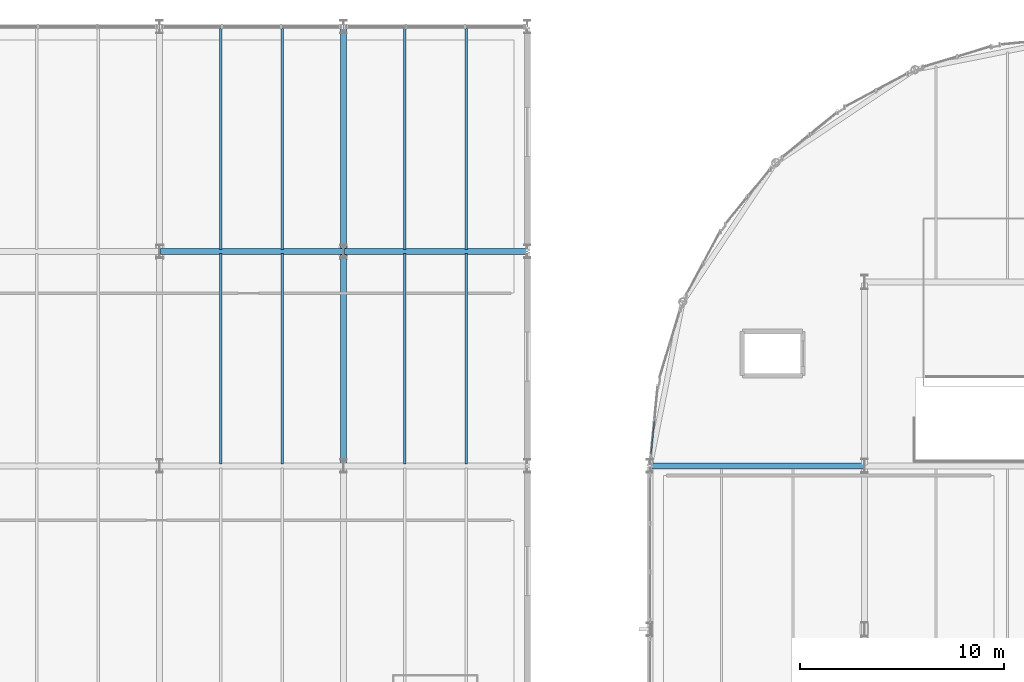
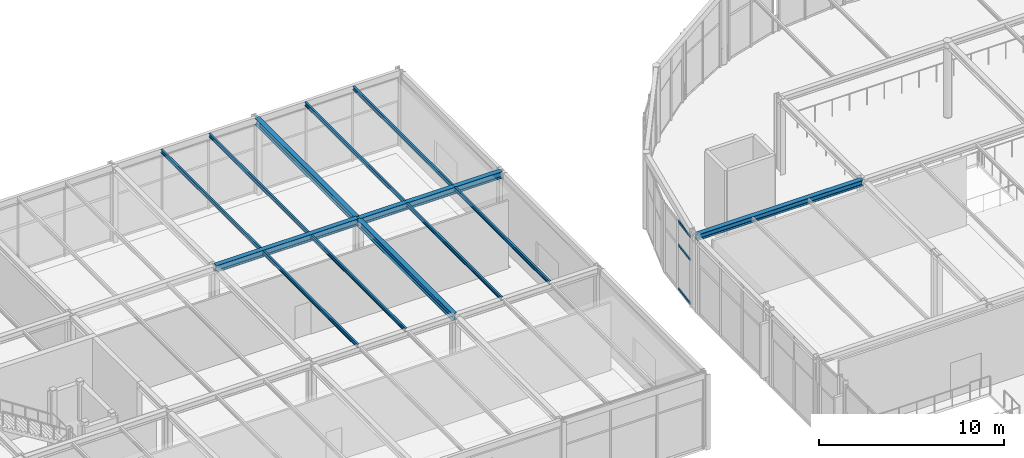
# One storey, part 54 of 195: 13 beams, 3 members, 1 element without a shape of its own.
"""IFC4 building model written with IfcOpenShell, lengths in metres."""

from ifc_helpers import new_model, si_unit, direction, frame, origin, origin_2d, place, context, subcontext, project, spatial, hollow_rectangle, i_section, extrude, material, layer, layer_set, material_profile, profile_set, type_object, element, aggregate, save


model = new_model("IFC4")

# Units and contexts
model_context = context("Model", 3, precision=1e-05, world=origin(), true_north=direction((0.0, 1.0)))
body_context = subcontext(model_context, "Body", "Model", "MODEL_VIEW")
ifc_project = project(units=[si_unit("LENGTHUNIT", "METRE"), si_unit("AREAUNIT", "SQUARE_METRE"), si_unit("VOLUMEUNIT", "CUBIC_METRE"), si_unit("PLANEANGLEUNIT", "RADIAN"), si_unit("MASSUNIT", "GRAM", prefix="KILO")], contexts=[model_context])

# Site, building, storey
site_placement = place(None, origin())
site = spatial("IfcSite", under=ifc_project, at=site_placement, CompositionType="ELEMENT")
building_placement = place(site_placement, origin())
building = spatial("IfcBuilding", under=site, at=building_placement, Name="Marlcrest Central Station", CompositionType="ELEMENT")
storey_placement = place(building_placement, frame((0.0, 0.0, 9.800048828125)))
storey = spatial("IfcBuildingStorey", under=building, at=storey_placement, Name="L02", CompositionType="ELEMENT", Elevation=9.800048828125)

# Beams
ifc_material_1 = material(Name="Steel S355", Category="steel")
ifc_material_profile_1 = material_profile(ifc_material_1, i_section(OverallWidth=0.300048828125, OverallDepth=0.389892578125, WebThickness=0.010986328125, FlangeThickness=0.01904296875, FilletRadius=0.027099609375, at=origin_2d()), Name="HEA 400")
ifc_profile_set_1 = profile_set([ifc_material_profile_1], Name="Steel S355")
beam_type_1 = type_object("IfcBeamType", Name="BM-08", PredefinedType="BEAM", material=ifc_profile_set_1)
beam_1_placement = place(storey_placement, frame((87.050048828125, 110.5, 4.800048828125), z_axis=(1.0, 0.0, 0.0), x_axis=(0.0, 1.0, 0.0)))
element("IfcBeam", 1, at=beam_1_placement, inside=storey, type_object=beam_type_1, Name="bm-BM-08-L02-01487", PredefinedType="BEAM", context=body_context, shape_type="SweptSolid", body=[
    extrude(i_section(OverallWidth=0.300048828125, OverallDepth=0.389892578125, WebThickness=0.010986328125, FlangeThickness=0.01904296875, FilletRadius=0.027099609375, at=origin_2d()), origin(), (0.0, 0.0, 1.0), 10.39990234375),
])
ifc_material_profile_2 = material_profile(ifc_material_1, i_section(OverallWidth=0.300048828125, OverallDepth=0.43994140625, WebThickness=0.011474609375, FlangeThickness=0.02099609375, FilletRadius=0.027099609375, at=origin_2d()), Name="HEA 450")
ifc_profile_set_2 = profile_set([ifc_material_profile_2], Name="Steel S355")
beam_type_2 = type_object("IfcBeamType", Name="BM-09", PredefinedType="BEAM", material=ifc_profile_set_2)
for number, where, z_axis, x_axis, name in (
    (2, (63.050048828125, 121.0, 4.780029296875), (1.0, 0.0, 0.0), (0.0, 1.0, 0.0), "bm-BM-09-L02-00373"),
    (3, (72.050048828125, 121.0, 4.7548828125), (1.0, 0.0, 0.0), (0.0, 1.0, 0.0), "bm-BM-09-L02-00374"),
):
    element("IfcBeam", number, at=place(storey_placement, frame(where, z_axis=z_axis, x_axis=x_axis)), inside=storey, type_object=beam_type_2, Name=name, PredefinedType="BEAM", context=body_context, shape_type="SweptSolid", body=[
        extrude(i_section(OverallWidth=0.300048828125, OverallDepth=0.43994140625, WebThickness=0.011474609375, FlangeThickness=0.02099609375, FilletRadius=0.027099609375, at=origin_2d()), origin(), (0.0, 0.0, 1.0), 8.89990234375),
    ])
beam_2_placement = place(storey_placement, frame((72.0, 110.550048828125, 4.7548828125), z_axis=(0.0, 1.0, 0.0), x_axis=(-1.0, 0.0, 0.0)))
element("IfcBeam", 4, at=beam_2_placement, inside=storey, type_object=beam_type_2, Name="bm-BM-09-L02-00409", PredefinedType="BEAM", context=body_context, shape_type="SweptSolid", body=[
    extrude(i_section(OverallWidth=0.300048828125, OverallDepth=0.43994140625, WebThickness=0.011474609375, FlangeThickness=0.02099609375, FilletRadius=0.027099609375, at=origin_2d()), origin(), (0.0, 0.0, 1.0), 10.39990234375),
])
beam_3_placement = place(storey_placement, frame((72.0, 121.050048828125, 4.7548828125), z_axis=(0.0, 1.0, 0.0), x_axis=(-1.0, 0.0, 0.0)))
element("IfcBeam", 5, at=beam_3_placement, inside=storey, type_object=beam_type_2, Name="bm-BM-09-L02-00410", PredefinedType="BEAM", context=body_context, shape_type="SweptSolid", body=[
    extrude(i_section(OverallWidth=0.300048828125, OverallDepth=0.43994140625, WebThickness=0.011474609375, FlangeThickness=0.02099609375, FilletRadius=0.027099609375, at=origin_2d()), origin(), (0.0, 0.0, 1.0), 10.89990234375),
])
ifc_material_profile_3 = material_profile(ifc_material_1, i_section(OverallWidth=0.1201171875, OverallDepth=0.239990234375, WebThickness=0.006103515625, FlangeThickness=0.009765625, FilletRadius=0.014892578125, at=origin_2d()), Name="IPE 240")
ifc_profile_set_3 = profile_set([ifc_material_profile_3], Name="Steel S355")
beam_type_3 = type_object("IfcBeamType", Name="JS-03", PredefinedType="JOIST", material=ifc_profile_set_3)
beam_4_placement = place(storey_placement, frame((66.0, 110.60009765625, 4.8798828125), z_axis=(0.0, 1.0, 0.0), x_axis=(-1.0, 0.0, 0.0)))
element("IfcBeam", 6, at=beam_4_placement, inside=storey, type_object=beam_type_3, Name="bm-JS-03-L02-00457", PredefinedType="JOIST", context=body_context, shape_type="SweptSolid", body=[
    extrude(i_section(OverallWidth=0.1201171875, OverallDepth=0.239990234375, WebThickness=0.006103515625, FlangeThickness=0.009765625, FilletRadius=0.014892578125, at=origin_2d()), origin(), (0.0, 0.0, 1.0), 10.2998046875),
])
beam_5_placement = place(storey_placement, frame((66.0, 121.10009765625, 4.8798828125), z_axis=(0.0, 1.0, 0.0), x_axis=(-1.0, 0.0, 0.0)))
element("IfcBeam", 7, at=beam_5_placement, inside=storey, type_object=beam_type_3, Name="bm-JS-03-L02-00458", PredefinedType="JOIST", context=body_context, shape_type="SweptSolid", body=[
    extrude(i_section(OverallWidth=0.1201171875, OverallDepth=0.239990234375, WebThickness=0.006103515625, FlangeThickness=0.009765625, FilletRadius=0.014892578125, at=origin_2d()), origin(), (0.0, 0.0, 1.0), 10.804931640625),
])
beam_6_placement = place(storey_placement, frame((69.0, 110.60009765625, 4.8798828125), z_axis=(0.0, 1.0, 0.0), x_axis=(-1.0, 0.0, 0.0)))
element("IfcBeam", 8, at=beam_6_placement, inside=storey, type_object=beam_type_3, Name="bm-JS-03-L02-00460", PredefinedType="JOIST", context=body_context, shape_type="SweptSolid", body=[
    extrude(i_section(OverallWidth=0.1201171875, OverallDepth=0.239990234375, WebThickness=0.006103515625, FlangeThickness=0.009765625, FilletRadius=0.014892578125, at=origin_2d()), origin(), (0.0, 0.0, 1.0), 10.2998046875),
])
beam_7_placement = place(storey_placement, frame((69.0, 121.10009765625, 4.8798828125), z_axis=(0.0, 1.0, 0.0), x_axis=(-1.0, 0.0, 0.0)))
element("IfcBeam", 9, at=beam_7_placement, inside=storey, type_object=beam_type_3, Name="bm-JS-03-L02-00461", PredefinedType="JOIST", context=body_context, shape_type="SweptSolid", body=[
    extrude(i_section(OverallWidth=0.1201171875, OverallDepth=0.239990234375, WebThickness=0.006103515625, FlangeThickness=0.009765625, FilletRadius=0.014892578125, at=origin_2d()), origin(), (0.0, 0.0, 1.0), 10.804931640625),
])
beam_8_placement = place(storey_placement, frame((75.0, 110.60009765625, 4.85498046875), z_axis=(0.0, 1.0, 0.0), x_axis=(-1.0, 0.0, 0.0)))
element("IfcBeam", 10, at=beam_8_placement, inside=storey, type_object=beam_type_3, Name="bm-JS-03-L02-00463", PredefinedType="JOIST", context=body_context, shape_type="SweptSolid", body=[
    extrude(i_section(OverallWidth=0.1201171875, OverallDepth=0.239990234375, WebThickness=0.006103515625, FlangeThickness=0.009765625, FilletRadius=0.014892578125, at=origin_2d()), origin(), (0.0, 0.0, 1.0), 10.2998046875),
])
beam_9_placement = place(storey_placement, frame((75.0, 121.10009765625, 4.85498046875), z_axis=(0.0, 1.0, 0.0), x_axis=(-1.0, 0.0, 0.0)))
element("IfcBeam", 11, at=beam_9_placement, inside=storey, type_object=beam_type_3, Name="bm-JS-03-L02-00464", PredefinedType="JOIST", context=body_context, shape_type="SweptSolid", body=[
    extrude(i_section(OverallWidth=0.1201171875, OverallDepth=0.239990234375, WebThickness=0.006103515625, FlangeThickness=0.009765625, FilletRadius=0.014892578125, at=origin_2d()), origin(), (0.0, 0.0, 1.0), 10.804931640625),
])
beam_10_placement = place(storey_placement, frame((78.0, 110.60009765625, 4.85498046875), z_axis=(0.0, 1.0, 0.0), x_axis=(-1.0, 0.0, 0.0)))
element("IfcBeam", 12, at=beam_10_placement, inside=storey, type_object=beam_type_3, Name="bm-JS-03-L02-00466", PredefinedType="JOIST", context=body_context, shape_type="SweptSolid", body=[
    extrude(i_section(OverallWidth=0.1201171875, OverallDepth=0.239990234375, WebThickness=0.006103515625, FlangeThickness=0.009765625, FilletRadius=0.014892578125, at=origin_2d()), origin(), (0.0, 0.0, 1.0), 10.2998046875),
])
beam_11_placement = place(storey_placement, frame((78.0, 121.10009765625, 4.85498046875), z_axis=(0.0, 1.0, 0.0), x_axis=(-1.0, 0.0, 0.0)))
element("IfcBeam", 13, at=beam_11_placement, inside=storey, type_object=beam_type_3, Name="bm-JS-03-L02-00467", PredefinedType="JOIST", context=body_context, shape_type="SweptSolid", body=[
    extrude(i_section(OverallWidth=0.1201171875, OverallDepth=0.239990234375, WebThickness=0.006103515625, FlangeThickness=0.009765625, FilletRadius=0.014892578125, at=origin_2d()), origin(), (0.0, 0.0, 1.0), 10.804931640625),
])

# Curtain wall, members
ifc_material_2 = material(Name="Anodised aluminium and hurricane laminated glass", Category="aluminium")
ifc_layer = layer(ifc_material_2, 0.219970703125, Name="CW-U1")
ifc_layer_set = layer_set([ifc_layer], Name="Anodised aluminium and hurricane laminated glass")
curtain_wall_type = type_object("IfcCurtainWallType", Name="CW-U1", PredefinedType="USERDEFINED", material=ifc_layer_set)
curtain_wall_placement = place(storey_placement, origin())
curtain_wall = element("IfcCurtainWall", 14, at=curtain_wall_placement, inside=storey, type_object=curtain_wall_type, Name="cw-L02-0067", ObjectType="UNITISED_CURTAIN_WALL", PredefinedType="USERDEFINED")
ifc_material_3 = material(Name="Anodised aluminium 6063-T6", Category="aluminium")
ifc_material_profile_4 = material_profile(ifc_material_3, hollow_rectangle(XDim=0.06005859375, YDim=0.14990234375, WallThickness=0.00390625, at=origin_2d()), Name="AA-RHS 150x60x4")
ifc_profile_set_4 = profile_set([ifc_material_profile_4], Name="Anodised aluminium 6063-T6")
member_type = type_object("IfcMemberType", Name="TR-01", PredefinedType="USERDEFINED", material=ifc_profile_set_4)
member_1_placement = place(storey_placement, frame((87.055419921875, 111.06103515625, 0.0400390625), z_axis=(0.098157974157, 0.995170845689, 0.0), x_axis=(-0.995170845689, 0.098157974157, 0.0)))
member_1 = element("IfcMember", 15, at=member_1_placement, type_object=member_type, Name="cw-L02-0067-tr-0-sill", ObjectType="TRANSOM", PredefinedType="USERDEFINED", context=body_context, shape_type="SweptSolid", body=[
    extrude(hollow_rectangle(XDim=0.06005859375, YDim=0.14990234375, WallThickness=0.00390625, at=origin_2d()), origin(), (0.0, 0.0, 1.0), 1.61669921875),
])
member_2_placement = place(storey_placement, frame((87.055419921875, 111.06103515625, 2.925048828125), z_axis=(0.098157974157, 0.995170845689, 0.0), x_axis=(-0.995170845689, 0.098157974157, 0.0)))
member_2 = element("IfcMember", 16, at=member_2_placement, type_object=member_type, Name="cw-L02-0067-tr-0-mid", ObjectType="TRANSOM", PredefinedType="USERDEFINED", context=body_context, shape_type="SweptSolid", body=[
    extrude(hollow_rectangle(XDim=0.06005859375, YDim=0.14990234375, WallThickness=0.00390625, at=origin_2d()), origin(), (0.0, 0.0, 1.0), 1.61669921875),
])
member_3_placement = place(storey_placement, frame((87.055419921875, 111.06103515625, 4.4599609375), z_axis=(0.098157974157, 0.995170845689, 0.0), x_axis=(-0.995170845689, 0.098157974157, 0.0)))
member_3 = element("IfcMember", 17, at=member_3_placement, type_object=member_type, Name="cw-L02-0067-tr-0-head", ObjectType="TRANSOM", PredefinedType="USERDEFINED", context=body_context, shape_type="SweptSolid", body=[
    extrude(hollow_rectangle(XDim=0.06005859375, YDim=0.14990234375, WallThickness=0.00390625, at=origin_2d()), origin(), (0.0, 0.0, 1.0), 1.61669921875),
])
aggregate(curtain_wall, [member_1, member_2, member_3])

save(model, "model.ifc")
